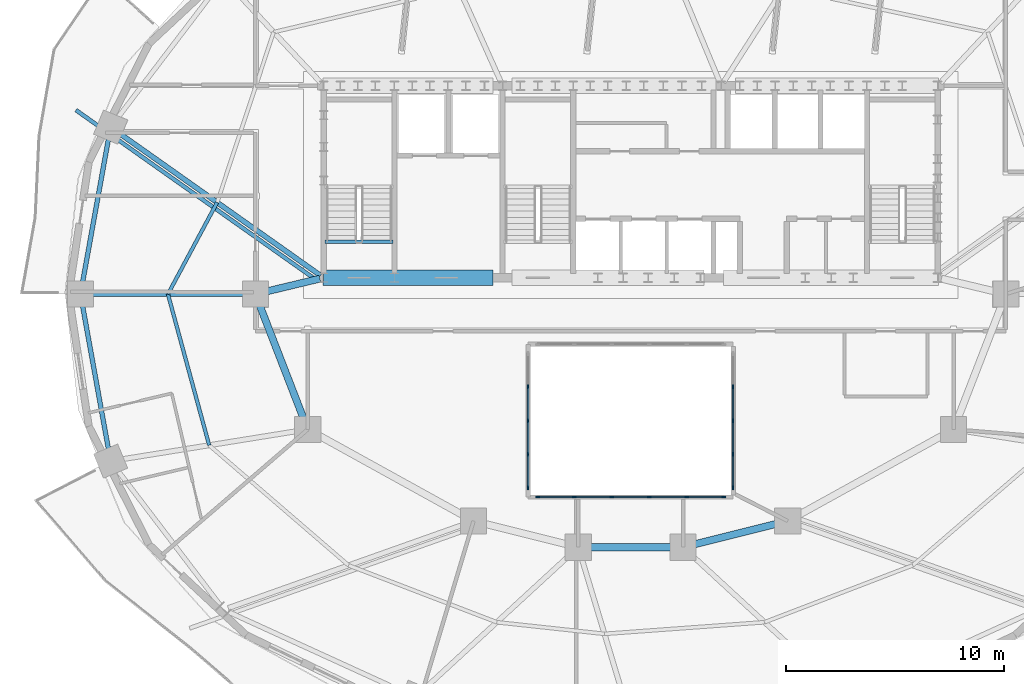
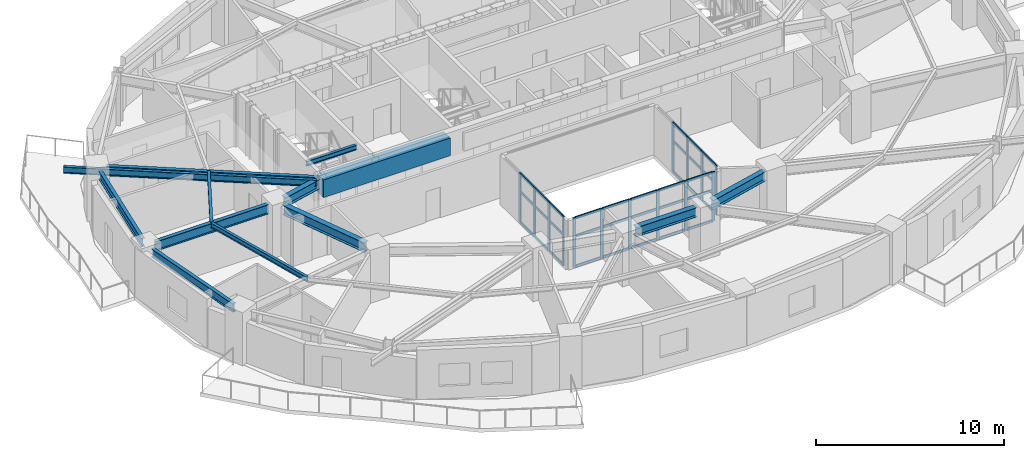
# One storey, part 2 of 13: 47 members, 13 beams, 3 elements without a shape of their own.
"""IFC4 building model written with IfcOpenShell, lengths in metres."""

from ifc_helpers import new_model, si_unit, direction, frame, origin, origin_2d, place, context, subcontext, project, spatial, rectangle, i_section, extrude, material, material_profile, profile_set, type_object, element, aggregate, save


model = new_model("IFC4")

# Units and contexts
model_context = context("Model", 3, precision=1e-05, world=origin(), true_north=direction((0.0, 1.0)))
body_context = subcontext(model_context, "Body", "Model", "MODEL_VIEW")
ifc_project = project(units=[si_unit("LENGTHUNIT", "METRE"), si_unit("AREAUNIT", "SQUARE_METRE"), si_unit("VOLUMEUNIT", "CUBIC_METRE"), si_unit("PLANEANGLEUNIT", "RADIAN"), si_unit("MASSUNIT", "GRAM", prefix="KILO")], contexts=[model_context])

# Site, building, storey
site_placement = place(None, origin())
site = spatial("IfcSite", under=ifc_project, at=site_placement, CompositionType="ELEMENT")
building_placement = place(site_placement, origin())
building = spatial("IfcBuilding", under=site, at=building_placement, Name="Haldorwick Loom Tower", CompositionType="ELEMENT")
storey_placement = place(building_placement, frame((0.0, 0.0, 175.14990234375)))
storey = spatial("IfcBuildingStorey", under=building, at=storey_placement, Name="L47", CompositionType="ELEMENT", Elevation=175.14990234375)

# Curtain wall, members
ifc_material_1 = material(Name="Thermally Broken Anodized Aluminium Curtain Wall Framing", Category="aluminium")
curtain_wall_type = type_object("IfcCurtainWallType", Name="ARC-CW-03", PredefinedType="NOTDEFINED", material=ifc_material_1)
curtain_wall_1_placement = place(storey_placement, origin())
curtain_wall_1 = element("IfcCurtainWall", 1, at=curtain_wall_1_placement, inside=storey, type_object=curtain_wall_type, Name="L47 Atrium Glazed Screen S", PredefinedType="NOTDEFINED")
ifc_material_profile_1 = material_profile(ifc_material_1, rectangle(XDim=0.06591796875, YDim=0.18505859375, at=origin_2d()), Name="ALU_MUL_66X185", Category="aluminium")
ifc_profile_set_1 = profile_set([ifc_material_profile_1], Name="Thermally Broken Anodized Aluminium Curtain Wall Framing")
member_type_1 = type_object("IfcMemberType", Name="ARC-CWM-03", PredefinedType="MULLION", material=ifc_profile_set_1)
member_1_placement = place(storey_placement, frame((40.26708984375, 16.699951171875, 0.0), z_axis=(0.0, 0.0, 1.0), x_axis=(0.0, -1.0, 0.0)))
member_1 = element("IfcMember", 2, at=member_1_placement, type_object=member_type_1, Name="CW-03 mullion 1", PredefinedType="MULLION", context=body_context, shape_type="SweptSolid", body=[
    extrude(rectangle(XDim=0.06591796875, YDim=0.18505859375, at=origin_2d()), origin(), (0.0, 0.0, 1.0), 3.210205078125),
])
member_2_placement = place(storey_placement, frame((38.580078125, 16.699951171875, 0.0), z_axis=(0.0, 0.0, 1.0), x_axis=(0.0, -1.0, 0.0)))
member_2 = element("IfcMember", 3, at=member_2_placement, type_object=member_type_1, Name="CW-03 mullion 2", PredefinedType="MULLION", context=body_context, shape_type="SweptSolid", body=[
    extrude(rectangle(XDim=0.06591796875, YDim=0.18505859375, at=origin_2d()), origin(), (0.0, 0.0, 1.0), 3.210205078125),
])
member_3_placement = place(storey_placement, frame((36.860107421875, 16.699951171875, 0.0), z_axis=(0.0, 0.0, 1.0), x_axis=(0.0, -1.0, 0.0)))
member_3 = element("IfcMember", 4, at=member_3_placement, type_object=member_type_1, Name="CW-03 mullion 3", PredefinedType="MULLION", context=body_context, shape_type="SweptSolid", body=[
    extrude(rectangle(XDim=0.06591796875, YDim=0.18505859375, at=origin_2d()), origin(), (0.0, 0.0, 1.0), 3.210205078125),
])
member_4_placement = place(storey_placement, frame((35.139892578125, 16.699951171875, 0.0), z_axis=(0.0, 0.0, 1.0), x_axis=(0.0, -1.0, 0.0)))
member_4 = element("IfcMember", 5, at=member_4_placement, type_object=member_type_1, Name="CW-03 mullion 4", PredefinedType="MULLION", context=body_context, shape_type="SweptSolid", body=[
    extrude(rectangle(XDim=0.06591796875, YDim=0.18505859375, at=origin_2d()), origin(), (0.0, 0.0, 1.0), 3.210205078125),
])
member_5_placement = place(storey_placement, frame((33.419921875, 16.699951171875, 0.0), z_axis=(0.0, 0.0, 1.0), x_axis=(0.0, -1.0, 0.0)))
member_5 = element("IfcMember", 6, at=member_5_placement, type_object=member_type_1, Name="CW-03 mullion 5", PredefinedType="MULLION", context=body_context, shape_type="SweptSolid", body=[
    extrude(rectangle(XDim=0.06591796875, YDim=0.18505859375, at=origin_2d()), origin(), (0.0, 0.0, 1.0), 3.210205078125),
])
member_6_placement = place(storey_placement, frame((31.73291015625, 16.699951171875, 0.0), z_axis=(0.0, 0.0, 1.0), x_axis=(0.0, -1.0, 0.0)))
member_6 = element("IfcMember", 7, at=member_6_placement, type_object=member_type_1, Name="CW-03 mullion 6", PredefinedType="MULLION", context=body_context, shape_type="SweptSolid", body=[
    extrude(rectangle(XDim=0.06591796875, YDim=0.18505859375, at=origin_2d()), origin(), (0.0, 0.0, 1.0), 3.210205078125),
])

curtain_wall_2_placement = place(storey_placement, origin())
curtain_wall_2 = element("IfcCurtainWall", 8, at=curtain_wall_2_placement, inside=storey, type_object=curtain_wall_type, Name="L47 Atrium Glazed Screen W", PredefinedType="NOTDEFINED")
member_7_placement = place(storey_placement, frame((31.300048828125, 17.133056640625, 0.0), z_axis=(0.0, 0.0, 1.0), x_axis=(-1.0, 0.0, 0.0)))
member_7 = element("IfcMember", 9, at=member_7_placement, type_object=member_type_1, Name="CW-03 mullion 1", PredefinedType="MULLION", context=body_context, shape_type="SweptSolid", body=[
    extrude(rectangle(XDim=0.06591796875, YDim=0.18505859375, at=origin_2d()), origin(), (0.0, 0.0, 1.0), 3.210205078125),
])
member_8_placement = place(storey_placement, frame((31.300048828125, 18.64990234375, 0.0), z_axis=(0.0, 0.0, 1.0), x_axis=(-1.0, 0.0, 0.0)))
member_8 = element("IfcMember", 10, at=member_8_placement, type_object=member_type_1, Name="CW-03 mullion 2", PredefinedType="MULLION", context=body_context, shape_type="SweptSolid", body=[
    extrude(rectangle(XDim=0.06591796875, YDim=0.18505859375, at=origin_2d()), origin(), (0.0, 0.0, 1.0), 3.210205078125),
])
member_9_placement = place(storey_placement, frame((31.300048828125, 20.199951171875, 0.0), z_axis=(0.0, 0.0, 1.0), x_axis=(-1.0, 0.0, 0.0)))
member_9 = element("IfcMember", 11, at=member_9_placement, type_object=member_type_1, Name="CW-03 mullion 3", PredefinedType="MULLION", context=body_context, shape_type="SweptSolid", body=[
    extrude(rectangle(XDim=0.06591796875, YDim=0.18505859375, at=origin_2d()), origin(), (0.0, 0.0, 1.0), 3.210205078125),
])
member_10_placement = place(storey_placement, frame((31.300048828125, 21.75, 0.0), z_axis=(0.0, 0.0, 1.0), x_axis=(-1.0, 0.0, 0.0)))
member_10 = element("IfcMember", 12, at=member_10_placement, type_object=member_type_1, Name="CW-03 mullion 4", PredefinedType="MULLION", context=body_context, shape_type="SweptSolid", body=[
    extrude(rectangle(XDim=0.06591796875, YDim=0.18505859375, at=origin_2d()), origin(), (0.0, 0.0, 1.0), 3.210205078125),
])

curtain_wall_3_placement = place(storey_placement, origin())
curtain_wall_3 = element("IfcCurtainWall", 13, at=curtain_wall_3_placement, inside=storey, type_object=curtain_wall_type, Name="L47 Atrium Glazed Screen E", PredefinedType="NOTDEFINED")
member_11_placement = place(storey_placement, frame((40.699951171875, 21.75, 0.0), z_axis=(0.0, 0.0, 1.0), x_axis=(1.0, 0.0, 0.0)))
member_11 = element("IfcMember", 14, at=member_11_placement, type_object=member_type_1, Name="CW-03 mullion 2", PredefinedType="MULLION", context=body_context, shape_type="SweptSolid", body=[
    extrude(rectangle(XDim=0.06591796875, YDim=0.18505859375, at=origin_2d()), origin(), (0.0, 0.0, 1.0), 3.210205078125),
])
member_12_placement = place(storey_placement, frame((40.699951171875, 20.199951171875, 0.0), z_axis=(0.0, 0.0, 1.0), x_axis=(1.0, 0.0, 0.0)))
member_12 = element("IfcMember", 15, at=member_12_placement, type_object=member_type_1, Name="CW-03 mullion 3", PredefinedType="MULLION", context=body_context, shape_type="SweptSolid", body=[
    extrude(rectangle(XDim=0.06591796875, YDim=0.18505859375, at=origin_2d()), origin(), (0.0, 0.0, 1.0), 3.210205078125),
])
member_13_placement = place(storey_placement, frame((40.699951171875, 18.64990234375, 0.0), z_axis=(0.0, 0.0, 1.0), x_axis=(1.0, 0.0, 0.0)))
member_13 = element("IfcMember", 16, at=member_13_placement, type_object=member_type_1, Name="CW-03 mullion 4", PredefinedType="MULLION", context=body_context, shape_type="SweptSolid", body=[
    extrude(rectangle(XDim=0.06591796875, YDim=0.18505859375, at=origin_2d()), origin(), (0.0, 0.0, 1.0), 3.210205078125),
])
member_14_placement = place(storey_placement, frame((40.699951171875, 17.133056640625, 0.0), z_axis=(0.0, 0.0, 1.0), x_axis=(1.0, 0.0, 0.0)))
member_14 = element("IfcMember", 17, at=member_14_placement, type_object=member_type_1, Name="CW-03 mullion 5", PredefinedType="MULLION", context=body_context, shape_type="SweptSolid", body=[
    extrude(rectangle(XDim=0.06591796875, YDim=0.18505859375, at=origin_2d()), origin(), (0.0, 0.0, 1.0), 3.210205078125),
])

# Member
ifc_material_profile_2 = material_profile(ifc_material_1, rectangle(XDim=0.06591796875, YDim=0.1650390625, at=origin_2d()), Name="ALU_TRN_66X165", Category="aluminium")
ifc_profile_set_2 = profile_set([ifc_material_profile_2], Name="Thermally Broken Anodized Aluminium Curtain Wall Framing")
member_type_2 = type_object("IfcMemberType", Name="ARC-CWT-03", PredefinedType="USERDEFINED", material=ifc_profile_set_2)
member_15_placement = place(storey_placement, frame((40.23388671875, 16.699951171875, 0.033203125), z_axis=(-1.0, 0.0, 0.0), x_axis=(0.0, -1.0, 0.0)))
member_15 = element("IfcMember", 18, at=member_15_placement, type_object=member_type_2, Name="CW-03 transom 1.1", ObjectType="TRANSOM", PredefinedType="USERDEFINED", context=body_context, shape_type="SweptSolid", body=[
    extrude(rectangle(XDim=0.06591796875, YDim=0.1650390625, at=origin_2d()), origin(), (0.0, 0.0, 1.0), 1.620849609375),
])

member_16_placement = place(storey_placement, frame((40.23388671875, 16.699951171875, 2.0), z_axis=(-1.0, 0.0, 0.0), x_axis=(0.0, -1.0, 0.0)))
member_16 = element("IfcMember", 19, at=member_16_placement, type_object=member_type_2, Name="CW-03 transom 1.2", ObjectType="TRANSOM", PredefinedType="USERDEFINED", context=body_context, shape_type="SweptSolid", body=[
    extrude(rectangle(XDim=0.06591796875, YDim=0.1650390625, at=origin_2d()), origin(), (0.0, 0.0, 1.0), 1.620849609375),
])

member_17_placement = place(storey_placement, frame((40.23388671875, 16.699951171875, 3.177001953125), z_axis=(-1.0, 0.0, 0.0), x_axis=(0.0, -1.0, 0.0)))
member_17 = element("IfcMember", 20, at=member_17_placement, type_object=member_type_2, Name="CW-03 transom 1.3", ObjectType="TRANSOM", PredefinedType="USERDEFINED", context=body_context, shape_type="SweptSolid", body=[
    extrude(rectangle(XDim=0.06591796875, YDim=0.1650390625, at=origin_2d()), origin(), (0.0, 0.0, 1.0), 1.620849609375),
])

member_18_placement = place(storey_placement, frame((38.547119140625, 16.699951171875, 0.033203125), z_axis=(-1.0, 0.0, 0.0), x_axis=(0.0, -1.0, 0.0)))
member_18 = element("IfcMember", 21, at=member_18_placement, type_object=member_type_2, Name="CW-03 transom 2.1", ObjectType="TRANSOM", PredefinedType="USERDEFINED", context=body_context, shape_type="SweptSolid", body=[
    extrude(rectangle(XDim=0.06591796875, YDim=0.1650390625, at=origin_2d()), origin(), (0.0, 0.0, 1.0), 1.654052734375),
])

member_19_placement = place(storey_placement, frame((38.547119140625, 16.699951171875, 2.0), z_axis=(-1.0, 0.0, 0.0), x_axis=(0.0, -1.0, 0.0)))
member_19 = element("IfcMember", 22, at=member_19_placement, type_object=member_type_2, Name="CW-03 transom 2.2", ObjectType="TRANSOM", PredefinedType="USERDEFINED", context=body_context, shape_type="SweptSolid", body=[
    extrude(rectangle(XDim=0.06591796875, YDim=0.1650390625, at=origin_2d()), origin(), (0.0, 0.0, 1.0), 1.654052734375),
])

member_20_placement = place(storey_placement, frame((38.547119140625, 16.699951171875, 3.177001953125), z_axis=(-1.0, 0.0, 0.0), x_axis=(0.0, -1.0, 0.0)))
member_20 = element("IfcMember", 23, at=member_20_placement, type_object=member_type_2, Name="CW-03 transom 2.3", ObjectType="TRANSOM", PredefinedType="USERDEFINED", context=body_context, shape_type="SweptSolid", body=[
    extrude(rectangle(XDim=0.06591796875, YDim=0.1650390625, at=origin_2d()), origin(), (0.0, 0.0, 1.0), 1.654052734375),
])

member_21_placement = place(storey_placement, frame((36.826904296875, 16.699951171875, 0.033203125), z_axis=(-1.0, 0.0, 0.0), x_axis=(0.0, -1.0, 0.0)))
member_21 = element("IfcMember", 24, at=member_21_placement, type_object=member_type_2, Name="CW-03 transom 3.1", ObjectType="TRANSOM", PredefinedType="USERDEFINED", context=body_context, shape_type="SweptSolid", body=[
    extrude(rectangle(XDim=0.06591796875, YDim=0.1650390625, at=origin_2d()), origin(), (0.0, 0.0, 1.0), 1.65380859375),
])

member_22_placement = place(storey_placement, frame((36.826904296875, 16.699951171875, 2.0), z_axis=(-1.0, 0.0, 0.0), x_axis=(0.0, -1.0, 0.0)))
member_22 = element("IfcMember", 25, at=member_22_placement, type_object=member_type_2, Name="CW-03 transom 3.2", ObjectType="TRANSOM", PredefinedType="USERDEFINED", context=body_context, shape_type="SweptSolid", body=[
    extrude(rectangle(XDim=0.06591796875, YDim=0.1650390625, at=origin_2d()), origin(), (0.0, 0.0, 1.0), 1.65380859375),
])

member_23_placement = place(storey_placement, frame((36.826904296875, 16.699951171875, 3.177001953125), z_axis=(-1.0, 0.0, 0.0), x_axis=(0.0, -1.0, 0.0)))
member_23 = element("IfcMember", 26, at=member_23_placement, type_object=member_type_2, Name="CW-03 transom 3.3", ObjectType="TRANSOM", PredefinedType="USERDEFINED", context=body_context, shape_type="SweptSolid", body=[
    extrude(rectangle(XDim=0.06591796875, YDim=0.1650390625, at=origin_2d()), origin(), (0.0, 0.0, 1.0), 1.65380859375),
])

member_24_placement = place(storey_placement, frame((35.10693359375, 16.699951171875, 0.033203125), z_axis=(-1.0, 0.0, 0.0), x_axis=(0.0, -1.0, 0.0)))
member_24 = element("IfcMember", 27, at=member_24_placement, type_object=member_type_2, Name="CW-03 transom 4.1", ObjectType="TRANSOM", PredefinedType="USERDEFINED", context=body_context, shape_type="SweptSolid", body=[
    extrude(rectangle(XDim=0.06591796875, YDim=0.1650390625, at=origin_2d()), origin(), (0.0, 0.0, 1.0), 1.654052734375),
])

member_25_placement = place(storey_placement, frame((35.10693359375, 16.699951171875, 2.0), z_axis=(-1.0, 0.0, 0.0), x_axis=(0.0, -1.0, 0.0)))
member_25 = element("IfcMember", 28, at=member_25_placement, type_object=member_type_2, Name="CW-03 transom 4.2", ObjectType="TRANSOM", PredefinedType="USERDEFINED", context=body_context, shape_type="SweptSolid", body=[
    extrude(rectangle(XDim=0.06591796875, YDim=0.1650390625, at=origin_2d()), origin(), (0.0, 0.0, 1.0), 1.654052734375),
])

member_26_placement = place(storey_placement, frame((35.10693359375, 16.699951171875, 3.177001953125), z_axis=(-1.0, 0.0, 0.0), x_axis=(0.0, -1.0, 0.0)))
member_26 = element("IfcMember", 29, at=member_26_placement, type_object=member_type_2, Name="CW-03 transom 4.3", ObjectType="TRANSOM", PredefinedType="USERDEFINED", context=body_context, shape_type="SweptSolid", body=[
    extrude(rectangle(XDim=0.06591796875, YDim=0.1650390625, at=origin_2d()), origin(), (0.0, 0.0, 1.0), 1.654052734375),
])

member_27_placement = place(storey_placement, frame((33.386962890625, 16.699951171875, 0.033203125), z_axis=(-1.0, 0.0, 0.0), x_axis=(0.0, -1.0, 0.0)))
member_27 = element("IfcMember", 30, at=member_27_placement, type_object=member_type_2, Name="CW-03 transom 5.1", ObjectType="TRANSOM", PredefinedType="USERDEFINED", context=body_context, shape_type="SweptSolid", body=[
    extrude(rectangle(XDim=0.06591796875, YDim=0.1650390625, at=origin_2d()), origin(), (0.0, 0.0, 1.0), 1.620849609375),
])

member_28_placement = place(storey_placement, frame((33.386962890625, 16.699951171875, 2.0), z_axis=(-1.0, 0.0, 0.0), x_axis=(0.0, -1.0, 0.0)))
member_28 = element("IfcMember", 31, at=member_28_placement, type_object=member_type_2, Name="CW-03 transom 5.2", ObjectType="TRANSOM", PredefinedType="USERDEFINED", context=body_context, shape_type="SweptSolid", body=[
    extrude(rectangle(XDim=0.06591796875, YDim=0.1650390625, at=origin_2d()), origin(), (0.0, 0.0, 1.0), 1.620849609375),
])

member_29_placement = place(storey_placement, frame((33.386962890625, 16.699951171875, 3.177001953125), z_axis=(-1.0, 0.0, 0.0), x_axis=(0.0, -1.0, 0.0)))
member_29 = element("IfcMember", 32, at=member_29_placement, type_object=member_type_2, Name="CW-03 transom 5.3", ObjectType="TRANSOM", PredefinedType="USERDEFINED", context=body_context, shape_type="SweptSolid", body=[
    extrude(rectangle(XDim=0.06591796875, YDim=0.1650390625, at=origin_2d()), origin(), (0.0, 0.0, 1.0), 1.620849609375),
])

aggregate(curtain_wall_1, [member_1, member_2, member_3, member_4, member_5, member_6, member_15, member_16, member_17, member_18, member_19, member_20, member_21, member_22, member_23, member_24, member_25, member_26, member_27, member_28, member_29])

member_30_placement = place(storey_placement, frame((31.300048828125, 17.166015625, 0.033203125), z_axis=(0.0, 1.0, 0.0), x_axis=(-1.0, 0.0, 0.0)))
member_30 = element("IfcMember", 33, at=member_30_placement, type_object=member_type_2, Name="CW-03 transom 1.1", ObjectType="TRANSOM", PredefinedType="USERDEFINED", context=body_context, shape_type="SweptSolid", body=[
    extrude(rectangle(XDim=0.06591796875, YDim=0.1650390625, at=origin_2d()), origin(), (0.0, 0.0, 1.0), 1.450927734375),
])

member_31_placement = place(storey_placement, frame((31.300048828125, 17.166015625, 2.0), z_axis=(0.0, 1.0, 0.0), x_axis=(-1.0, 0.0, 0.0)))
member_31 = element("IfcMember", 34, at=member_31_placement, type_object=member_type_2, Name="CW-03 transom 1.2", ObjectType="TRANSOM", PredefinedType="USERDEFINED", context=body_context, shape_type="SweptSolid", body=[
    extrude(rectangle(XDim=0.06591796875, YDim=0.1650390625, at=origin_2d()), origin(), (0.0, 0.0, 1.0), 1.450927734375),
])

member_32_placement = place(storey_placement, frame((31.300048828125, 17.166015625, 3.177001953125), z_axis=(0.0, 1.0, 0.0), x_axis=(-1.0, 0.0, 0.0)))
member_32 = element("IfcMember", 35, at=member_32_placement, type_object=member_type_2, Name="CW-03 transom 1.3", ObjectType="TRANSOM", PredefinedType="USERDEFINED", context=body_context, shape_type="SweptSolid", body=[
    extrude(rectangle(XDim=0.06591796875, YDim=0.1650390625, at=origin_2d()), origin(), (0.0, 0.0, 1.0), 1.450927734375),
])

member_33_placement = place(storey_placement, frame((31.300048828125, 18.68310546875, 0.033203125), z_axis=(0.0, 1.0, 0.0), x_axis=(-1.0, 0.0, 0.0)))
member_33 = element("IfcMember", 36, at=member_33_placement, type_object=member_type_2, Name="CW-03 transom 2.1", ObjectType="TRANSOM", PredefinedType="USERDEFINED", context=body_context, shape_type="SweptSolid", body=[
    extrude(rectangle(XDim=0.06591796875, YDim=0.1650390625, at=origin_2d()), origin(), (0.0, 0.0, 1.0), 1.48388671875),
])

member_34_placement = place(storey_placement, frame((31.300048828125, 18.68310546875, 2.0), z_axis=(0.0, 1.0, 0.0), x_axis=(-1.0, 0.0, 0.0)))
member_34 = element("IfcMember", 37, at=member_34_placement, type_object=member_type_2, Name="CW-03 transom 2.2", ObjectType="TRANSOM", PredefinedType="USERDEFINED", context=body_context, shape_type="SweptSolid", body=[
    extrude(rectangle(XDim=0.06591796875, YDim=0.1650390625, at=origin_2d()), origin(), (0.0, 0.0, 1.0), 1.48388671875),
])

member_35_placement = place(storey_placement, frame((31.300048828125, 18.68310546875, 3.177001953125), z_axis=(0.0, 1.0, 0.0), x_axis=(-1.0, 0.0, 0.0)))
member_35 = element("IfcMember", 38, at=member_35_placement, type_object=member_type_2, Name="CW-03 transom 2.3", ObjectType="TRANSOM", PredefinedType="USERDEFINED", context=body_context, shape_type="SweptSolid", body=[
    extrude(rectangle(XDim=0.06591796875, YDim=0.1650390625, at=origin_2d()), origin(), (0.0, 0.0, 1.0), 1.48388671875),
])

member_36_placement = place(storey_placement, frame((31.300048828125, 20.23291015625, 0.033203125), z_axis=(0.0, 1.0, 0.0), x_axis=(-1.0, 0.0, 0.0)))
member_36 = element("IfcMember", 39, at=member_36_placement, type_object=member_type_2, Name="CW-03 transom 3.1", ObjectType="TRANSOM", PredefinedType="USERDEFINED", context=body_context, shape_type="SweptSolid", body=[
    extrude(rectangle(XDim=0.06591796875, YDim=0.1650390625, at=origin_2d()), origin(), (0.0, 0.0, 1.0), 1.484130859375),
])

member_37_placement = place(storey_placement, frame((31.300048828125, 20.23291015625, 2.0), z_axis=(0.0, 1.0, 0.0), x_axis=(-1.0, 0.0, 0.0)))
member_37 = element("IfcMember", 40, at=member_37_placement, type_object=member_type_2, Name="CW-03 transom 3.2", ObjectType="TRANSOM", PredefinedType="USERDEFINED", context=body_context, shape_type="SweptSolid", body=[
    extrude(rectangle(XDim=0.06591796875, YDim=0.1650390625, at=origin_2d()), origin(), (0.0, 0.0, 1.0), 1.484130859375),
])

member_38_placement = place(storey_placement, frame((31.300048828125, 20.23291015625, 3.177001953125), z_axis=(0.0, 1.0, 0.0), x_axis=(-1.0, 0.0, 0.0)))
member_38 = element("IfcMember", 41, at=member_38_placement, type_object=member_type_2, Name="CW-03 transom 3.3", ObjectType="TRANSOM", PredefinedType="USERDEFINED", context=body_context, shape_type="SweptSolid", body=[
    extrude(rectangle(XDim=0.06591796875, YDim=0.1650390625, at=origin_2d()), origin(), (0.0, 0.0, 1.0), 1.484130859375),
])

aggregate(curtain_wall_2, [member_7, member_8, member_9, member_10, member_30, member_31, member_32, member_33, member_34, member_35, member_36, member_37, member_38])

member_39_placement = place(storey_placement, frame((40.699951171875, 21.717041015625, 0.033203125), z_axis=(0.0, -1.0, 0.0), x_axis=(1.0, 0.0, 0.0)))
member_39 = element("IfcMember", 42, at=member_39_placement, type_object=member_type_2, Name="CW-03 transom 2.1", ObjectType="TRANSOM", PredefinedType="USERDEFINED", context=body_context, shape_type="SweptSolid", body=[
    extrude(rectangle(XDim=0.06591796875, YDim=0.1650390625, at=origin_2d()), origin(), (0.0, 0.0, 1.0), 1.484130859375),
])

member_40_placement = place(storey_placement, frame((40.699951171875, 21.717041015625, 2.0), z_axis=(0.0, -1.0, 0.0), x_axis=(1.0, 0.0, 0.0)))
member_40 = element("IfcMember", 43, at=member_40_placement, type_object=member_type_2, Name="CW-03 transom 2.2", ObjectType="TRANSOM", PredefinedType="USERDEFINED", context=body_context, shape_type="SweptSolid", body=[
    extrude(rectangle(XDim=0.06591796875, YDim=0.1650390625, at=origin_2d()), origin(), (0.0, 0.0, 1.0), 1.484130859375),
])

member_41_placement = place(storey_placement, frame((40.699951171875, 21.717041015625, 3.177001953125), z_axis=(0.0, -1.0, 0.0), x_axis=(1.0, 0.0, 0.0)))
member_41 = element("IfcMember", 44, at=member_41_placement, type_object=member_type_2, Name="CW-03 transom 2.3", ObjectType="TRANSOM", PredefinedType="USERDEFINED", context=body_context, shape_type="SweptSolid", body=[
    extrude(rectangle(XDim=0.06591796875, YDim=0.1650390625, at=origin_2d()), origin(), (0.0, 0.0, 1.0), 1.484130859375),
])

member_42_placement = place(storey_placement, frame((40.699951171875, 20.1669921875, 0.033203125), z_axis=(0.0, -1.0, 0.0), x_axis=(1.0, 0.0, 0.0)))
member_42 = element("IfcMember", 45, at=member_42_placement, type_object=member_type_2, Name="CW-03 transom 3.1", ObjectType="TRANSOM", PredefinedType="USERDEFINED", context=body_context, shape_type="SweptSolid", body=[
    extrude(rectangle(XDim=0.06591796875, YDim=0.1650390625, at=origin_2d()), origin(), (0.0, 0.0, 1.0), 1.48388671875),
])

member_43_placement = place(storey_placement, frame((40.699951171875, 20.1669921875, 2.0), z_axis=(0.0, -1.0, 0.0), x_axis=(1.0, 0.0, 0.0)))
member_43 = element("IfcMember", 46, at=member_43_placement, type_object=member_type_2, Name="CW-03 transom 3.2", ObjectType="TRANSOM", PredefinedType="USERDEFINED", context=body_context, shape_type="SweptSolid", body=[
    extrude(rectangle(XDim=0.06591796875, YDim=0.1650390625, at=origin_2d()), origin(), (0.0, 0.0, 1.0), 1.48388671875),
])

member_44_placement = place(storey_placement, frame((40.699951171875, 20.1669921875, 3.177001953125), z_axis=(0.0, -1.0, 0.0), x_axis=(1.0, 0.0, 0.0)))
member_44 = element("IfcMember", 47, at=member_44_placement, type_object=member_type_2, Name="CW-03 transom 3.3", ObjectType="TRANSOM", PredefinedType="USERDEFINED", context=body_context, shape_type="SweptSolid", body=[
    extrude(rectangle(XDim=0.06591796875, YDim=0.1650390625, at=origin_2d()), origin(), (0.0, 0.0, 1.0), 1.48388671875),
])

member_45_placement = place(storey_placement, frame((40.699951171875, 18.616943359375, 0.033203125), z_axis=(0.0, -1.0, 0.0), x_axis=(1.0, 0.0, 0.0)))
member_45 = element("IfcMember", 48, at=member_45_placement, type_object=member_type_2, Name="CW-03 transom 4.1", ObjectType="TRANSOM", PredefinedType="USERDEFINED", context=body_context, shape_type="SweptSolid", body=[
    extrude(rectangle(XDim=0.06591796875, YDim=0.1650390625, at=origin_2d()), origin(), (0.0, 0.0, 1.0), 1.450927734375),
])

member_46_placement = place(storey_placement, frame((40.699951171875, 18.616943359375, 2.0), z_axis=(0.0, -1.0, 0.0), x_axis=(1.0, 0.0, 0.0)))
member_46 = element("IfcMember", 49, at=member_46_placement, type_object=member_type_2, Name="CW-03 transom 4.2", ObjectType="TRANSOM", PredefinedType="USERDEFINED", context=body_context, shape_type="SweptSolid", body=[
    extrude(rectangle(XDim=0.06591796875, YDim=0.1650390625, at=origin_2d()), origin(), (0.0, 0.0, 1.0), 1.450927734375),
])

member_47_placement = place(storey_placement, frame((40.699951171875, 18.616943359375, 3.177001953125), z_axis=(0.0, -1.0, 0.0), x_axis=(1.0, 0.0, 0.0)))
member_47 = element("IfcMember", 50, at=member_47_placement, type_object=member_type_2, Name="CW-03 transom 4.3", ObjectType="TRANSOM", PredefinedType="USERDEFINED", context=body_context, shape_type="SweptSolid", body=[
    extrude(rectangle(XDim=0.06591796875, YDim=0.1650390625, at=origin_2d()), origin(), (0.0, 0.0, 1.0), 1.450927734375),
])

aggregate(curtain_wall_3, [member_11, member_12, member_13, member_14, member_39, member_40, member_41, member_42, member_43, member_44, member_45, member_46, member_47])

# Beams
ifc_material_2 = material(Name="Steel CSA G40.21 350W", Category="steel")
ifc_material_profile_3 = material_profile(ifc_material_2, i_section(OverallWidth=0.179931640625, OverallDepth=0.4130859375, WebThickness=0.009765625, FlangeThickness=0.01611328125, at=origin_2d()), Name="W410X74", Category="steel")
ifc_profile_set_3 = profile_set([ifc_material_profile_3], Name="Steel CSA G40.21 350W")
beam_type_1 = type_object("IfcBeamType", Name="STR-BM-BAL410", PredefinedType="BEAM", material=ifc_profile_set_3)
beam_1_placement = place(storey_placement, frame((21.623046875, 26.6240234375, 3.003662109375), z_axis=(-0.816570167076, 0.57724618859, 0.0), x_axis=(-0.57724618859, -0.816570167076, 0.0)))
element("IfcBeam", 51, at=beam_1_placement, inside=storey, type_object=beam_type_1, Name="L47 Continuous Back-Spanned Balcony Beam 3", PredefinedType="BEAM", context=body_context, shape_type="SweptSolid", body=[
    extrude(i_section(OverallWidth=0.179931640625, OverallDepth=0.4130859375, WebThickness=0.009765625, FlangeThickness=0.01611328125, at=origin_2d()), origin(), (0.0, 0.0, 1.0), 13.531982421875),
])
ifc_material_3 = material(Name="Concrete C60 (60 MPa)", Category="concrete")
ifc_material_profile_4 = material_profile(ifc_material_3, rectangle(XDim=0.699951171875, YDim=1.14990234375, at=origin_2d()), Name="RC700X1150", Category="concrete")
ifc_profile_set_4 = profile_set([ifc_material_profile_4], Name="Concrete C60 (60 MPa)")
beam_type_2 = type_object("IfcBeamType", Name="STR-BM-CB1150", PredefinedType="LINTEL", material=ifc_profile_set_4)
beam_2_placement = place(storey_placement, frame((21.89990234375, 26.75, 2.635009765625), z_axis=(1.0, 0.0, 0.0), x_axis=(0.0, 1.0, 0.0)))
element("IfcBeam", 52, at=beam_2_placement, inside=storey, type_object=beam_type_2, Name="L47 Core Coupling Beam CB-S1", PredefinedType="LINTEL", context=body_context, shape_type="SweptSolid", body=[
    extrude(rectangle(XDim=0.699951171875, YDim=1.14990234375, at=origin_2d()), origin(), (0.0, 0.0, 1.0), 7.800048828125),
])
ifc_material_profile_5 = material_profile(ifc_material_2, i_section(OverallWidth=0.166015625, OverallDepth=0.31298828125, WebThickness=0.006591796875, FlangeThickness=0.01123046875, at=origin_2d()), Name="W310X45", Category="steel")
ifc_profile_set_5 = profile_set([ifc_material_profile_5], Name="Steel CSA G40.21 350W")
beam_type_3 = type_object("IfcBeamType", Name="STR-BM-J310", PredefinedType="JOIST", material=ifc_profile_set_5)
beam_3_placement = place(storey_placement, frame((17.046875, 30.201904296875, 3.0537109375), z_axis=(-0.472930162238, -0.881099915813, 0.0), x_axis=(0.881099915813, -0.472930162238, 0.0)))
element("IfcBeam", 53, at=beam_3_placement, inside=storey, type_object=beam_type_3, Name="L47 Mid-Bay Secondary Joist 8", PredefinedType="JOIST", context=body_context, shape_type="SweptSolid", body=[
    extrude(i_section(OverallWidth=0.166015625, OverallDepth=0.31298828125, WebThickness=0.006591796875, FlangeThickness=0.01123046875, at=origin_2d()), origin(), (0.0, 0.0, 1.0), 4.76904296875),
])
beam_4_placement = place(storey_placement, frame((14.79150390625, 26.0, 3.0537109375), z_axis=(0.263272762578, -0.964721437766, 0.0), x_axis=(0.964721437766, 0.263272762578, 0.0)))
element("IfcBeam", 54, at=beam_4_placement, inside=storey, type_object=beam_type_3, Name="L47 Mid-Bay Secondary Joist 9", PredefinedType="JOIST", context=body_context, shape_type="SweptSolid", body=[
    extrude(i_section(OverallWidth=0.166015625, OverallDepth=0.31298828125, WebThickness=0.006591796875, FlangeThickness=0.01123046875, at=origin_2d()), origin(), (0.0, 0.0, 1.0), 7.180419921875),
])
ifc_material_profile_6 = material_profile(ifc_material_2, i_section(OverallWidth=0.2119140625, OverallDepth=0.5439453125, WebThickness=0.01318359375, FlangeThickness=0.021240234375, at=origin_2d()), Name="W530X123", Category="steel")
ifc_profile_set_6 = profile_set([ifc_material_profile_6], Name="Steel CSA G40.21 350W")
beam_type_4 = type_object("IfcBeamType", Name="STR-BM-SP530", PredefinedType="SPANDREL", material=ifc_profile_set_6)
for number, where, z_axis, x_axis, name in (
    (55, (12.071533203125, 33.14208984375, 2.93798828125), (-0.177558730702, -0.984110205796, 0.0), (0.984110205796, -0.177558730702, 0.0), "L47 Perimeter Spandrel 8"),
    (56, (10.875244140625, 25.48828125, 2.93798828125), (0.177558730702, -0.984110205796, 0.0), (0.984110205796, 0.177558730702, 0.0), "L47 Perimeter Spandrel 9"),
):
    element("IfcBeam", number, at=place(storey_placement, frame(where, z_axis=z_axis, x_axis=x_axis)), inside=storey, type_object=beam_type_4, Name=name, PredefinedType="SPANDREL", context=body_context, shape_type="SweptSolid", body=[
        extrude(i_section(OverallWidth=0.2119140625, OverallDepth=0.5439453125, WebThickness=0.01318359375, FlangeThickness=0.021240234375, at=origin_2d()), origin(), (0.0, 0.0, 1.0), 6.737548828125),
    ])
ifc_material_profile_7 = material_profile(ifc_material_2, i_section(OverallWidth=0.166015625, OverallDepth=0.31298828125, WebThickness=0.006591796875, FlangeThickness=0.01123046875, at=origin_2d()), Name="W310X45", Category="steel")
ifc_profile_set_7 = profile_set([ifc_material_profile_7], Name="Steel CSA G40.21 350W")
beam_type_5 = type_object("IfcBeamType", Name="STR-BM-STRM", PredefinedType="BEAM", material=ifc_profile_set_7)
beam_5_placement = place(storey_placement, frame((21.989990234375, 28.39990234375, 3.0537109375), z_axis=(1.0, 0.0, 0.0), x_axis=(0.0, 1.0, 0.0)))
element("IfcBeam", 57, at=beam_5_placement, inside=storey, type_object=beam_type_5, Name="L47 Stair ST-01 Landing Edge Trimmer", PredefinedType="BEAM", context=body_context, shape_type="SweptSolid", body=[
    extrude(i_section(OverallWidth=0.166015625, OverallDepth=0.31298828125, WebThickness=0.006591796875, FlangeThickness=0.01123046875, at=origin_2d()), origin(), (0.0, 0.0, 1.0), 3.1201171875),
])
ifc_material_profile_8 = material_profile(ifc_material_2, i_section(OverallWidth=0.324951171875, OverallDepth=0.615966796875, WebThickness=0.013916015625, FlangeThickness=0.021484375, at=origin_2d()), Name="W610X174", Category="steel")
ifc_profile_set_8 = profile_set([ifc_material_profile_8], Name="Steel CSA G40.21 350W")
beam_type_6 = type_object("IfcBeamType", Name="STR-BM-W610A", PredefinedType="BEAM", material=ifc_profile_set_8)
beam_6_placement = place(storey_placement, frame((42.695556640625, 15.473876953125, 2.902099609375), z_axis=(-0.970142500145, -0.242535625036, 0.0), x_axis=(0.242535625036, -0.970142500145, 0.0)))
element("IfcBeam", 58, at=beam_6_placement, inside=storey, type_object=beam_type_6, Name="L47 Inner Ring Girder 4", PredefinedType="BEAM", context=body_context, shape_type="SweptSolid", body=[
    extrude(i_section(OverallWidth=0.324951171875, OverallDepth=0.615966796875, WebThickness=0.013916015625, FlangeThickness=0.021484375, at=origin_2d()), origin(), (0.0, 0.0, 1.0), 3.90771484375),
])
beam_7_placement = place(storey_placement, frame((37.8798828125, 14.39990234375, 2.902099609375), z_axis=(-1.0, 0.0, 0.0), x_axis=(0.0, -1.0, 0.0)))
element("IfcBeam", 59, at=beam_7_placement, inside=storey, type_object=beam_type_6, Name="L47 Inner Ring Girder 5", PredefinedType="BEAM", context=body_context, shape_type="SweptSolid", body=[
    extrude(i_section(OverallWidth=0.324951171875, OverallDepth=0.615966796875, WebThickness=0.013916015625, FlangeThickness=0.021484375, at=origin_2d()), origin(), (0.0, 0.0, 1.0), 3.759765625),
])
beam_8_placement = place(storey_placement, frame((21.01220703125, 20.284912109375, 2.902099609375), z_axis=(-0.360964792353, 0.93257944363, 0.0), x_axis=(-0.93257944363, -0.360964792353, 0.0)))
element("IfcBeam", 60, at=beam_8_placement, inside=storey, type_object=beam_type_6, Name="L47 Inner Ring Girder 8", PredefinedType="BEAM", context=body_context, shape_type="SweptSolid", body=[
    extrude(i_section(OverallWidth=0.324951171875, OverallDepth=0.615966796875, WebThickness=0.013916015625, FlangeThickness=0.021484375, at=origin_2d()), origin(), (0.0, 0.0, 1.0), 5.6083984375),
])
beam_9_placement = place(storey_placement, frame((19.3056640625, 26.12109375, 2.902099609375), z_axis=(0.97246637463, 0.233043236789, 0.0), x_axis=(-0.233043236789, 0.97246637463, 0.0)))
element("IfcBeam", 61, at=beam_9_placement, inside=storey, type_object=beam_type_6, Name="L47 Inner Ring Girder 9", PredefinedType="BEAM", context=body_context, shape_type="SweptSolid", body=[
    extrude(i_section(OverallWidth=0.324951171875, OverallDepth=0.615966796875, WebThickness=0.013916015625, FlangeThickness=0.021484375, at=origin_2d()), origin(), (0.0, 0.0, 1.0), 2.5205078125),
])
ifc_material_profile_9 = material_profile(ifc_material_2, i_section(OverallWidth=0.22998046875, OverallDepth=0.616943359375, WebThickness=0.01318359375, FlangeThickness=0.022216796875, at=origin_2d()), Name="W610X140", Category="steel")
ifc_profile_set_9 = profile_set([ifc_material_profile_9], Name="Steel CSA G40.21 350W")
beam_type_7 = type_object("IfcBeamType", Name="STR-BM-W610B", PredefinedType="BEAM", material=ifc_profile_set_9)
beam_10_placement = place(storey_placement, frame((21.78466796875, 26.852783203125, 2.901611328125), z_axis=(-0.816581374163, 0.577230334763, 0.0), x_axis=(-0.577230334763, -0.816581374163, 0.0)))
element("IfcBeam", 62, at=beam_10_placement, inside=storey, type_object=beam_type_7, Name="L47 Radial Floor Girder 8", PredefinedType="BEAM", context=body_context, shape_type="SweptSolid", body=[
    extrude(i_section(OverallWidth=0.22998046875, OverallDepth=0.616943359375, WebThickness=0.01318359375, FlangeThickness=0.022216796875, at=origin_2d()), origin(), (0.0, 0.0, 1.0), 11.261962890625),
])
beam_11_placement = place(storey_placement, frame((18.280029296875, 26.0, 2.901611328125), z_axis=(-1.0, 0.0, 0.0), x_axis=(0.0, -1.0, 0.0)))
element("IfcBeam", 63, at=beam_11_placement, inside=storey, type_object=beam_type_7, Name="L47 Radial Floor Girder 9", PredefinedType="BEAM", context=body_context, shape_type="SweptSolid", body=[
    extrude(i_section(OverallWidth=0.22998046875, OverallDepth=0.616943359375, WebThickness=0.01318359375, FlangeThickness=0.022216796875, at=origin_2d()), origin(), (0.0, 0.0, 1.0), 6.97705078125),
])

save(model, "model.ifc")
